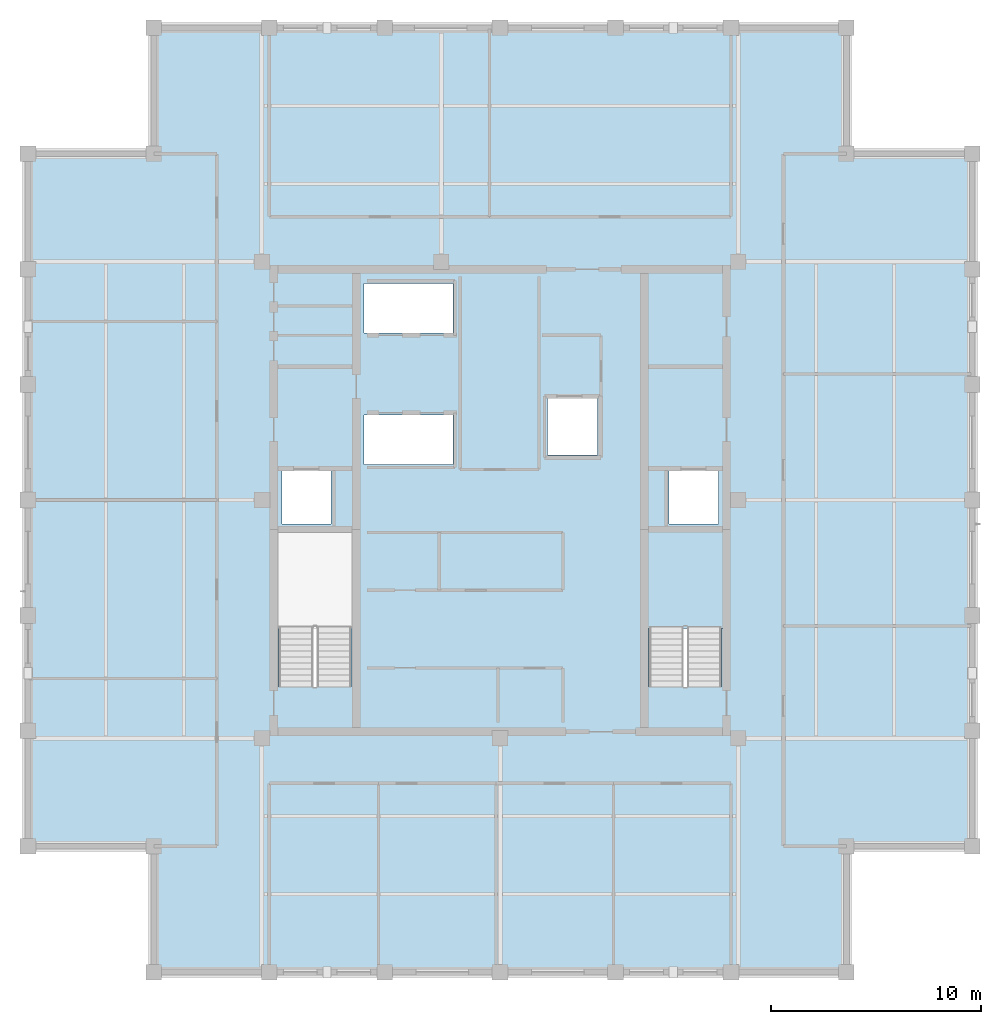
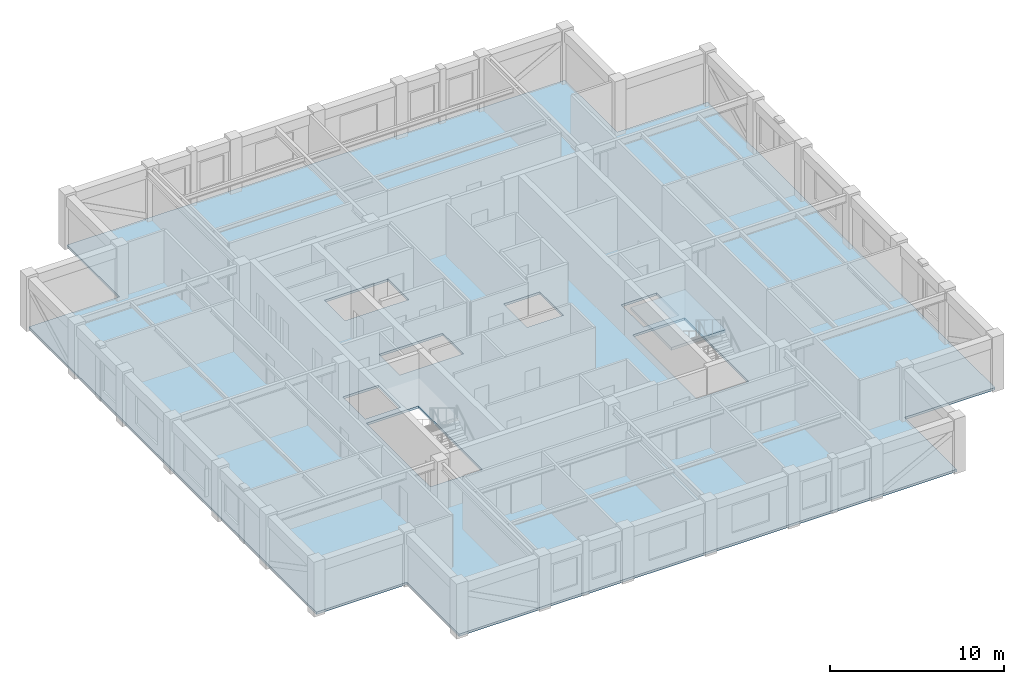
# One storey, part 3 of 9: 2 slabs, 1 element without a shape of its own.
"""IFC4 building model written with IfcOpenShell, lengths in metres."""

import ifcopenshell
import ifcopenshell.guid

model = None  # the IFC model being written
_history = None  # IfcOwnerHistory: only IFC2X3 demands one
_inside = {}  # id of a spatial element -> (the spatial element, [elements in it])
_under = {}  # id of a project, library or spatial element -> (it, [spatial elements below it])
_declared = {}  # id of a project -> (the project, [libraries it declares])
_typed = {}  # id of a type object -> (the type object, [elements of that type])
_made_of = {}  # id of a material, layer set ... -> (it, [elements and type objects made of it])


def new_model(schema):
    """Start an empty IFC model of exactly this schema.

    Asked for "IFC4X3", IfcOpenShell would pick the latest addendum, in which some entities
    have other attributes; the version numbers below select the first issue.
    IFC2X3 requires an IfcOwnerHistory on every rooted entity: one is made here for all.
    """
    global model, _history
    if schema == "IFC4X3":
        model = ifcopenshell.file(schema_version=(4, 3, 0, 0))
    else:
        model = ifcopenshell.file(schema=schema)
    _inside.clear()
    _under.clear()
    _declared.clear()
    _typed.clear()
    _made_of.clear()
    _history = None
    if model.schema == "IFC2X3":
        org = make("IfcOrganization", Name="unknown")
        user = make(
            "IfcPersonAndOrganization",
            ThePerson=make("IfcPerson", FamilyName="unknown"),
            TheOrganization=org,
        )
        app = make(
            "IfcApplication",
            ApplicationDeveloper=org,
            Version="unknown",
            ApplicationFullName="unknown",
            ApplicationIdentifier="unknown",
        )
        _history = make(
            "IfcOwnerHistory",
            OwningUser=user,
            OwningApplication=app,
            ChangeAction="ADDED",
            CreationDate=0,
        )
    return model


def make(cls, **values):
    """One entity of the class cls with the attributes given. An attribute that is None is left unset."""
    return model.create_entity(
        cls, **{name: value for name, value in values.items() if value is not None}
    )


def rooted(cls, **values):
    """An entity with a GlobalId (a new one), such as an element, a storey or a relation."""
    return make(cls, GlobalId=ifcopenshell.guid.new(), OwnerHistory=_history, **values)


def si_unit(unit_type, name, prefix=None):
    """IfcSIUnit, for example si_unit("LENGTHUNIT", "METRE", prefix="MILLI")."""
    return make("IfcSIUnit", UnitType=unit_type, Prefix=prefix, Name=name)


def assignment(units):
    """IfcUnitAssignment: the units of a project."""
    return None if units is None else make("IfcUnitAssignment", Units=units)


def point(xyz):
    """IfcCartesianPoint."""
    return None if xyz is None else make("IfcCartesianPoint", Coordinates=xyz)


def direction(xyz):
    """IfcDirection."""
    return None if xyz is None else make("IfcDirection", DirectionRatios=xyz)


def frame(location, z_axis=None, x_axis=None):
    """IfcAxis2Placement3D, a coordinate frame: its origin and axes. An axis left out is left unset."""
    return make(
        "IfcAxis2Placement3D",
        Location=point(location),
        Axis=direction(z_axis),
        RefDirection=direction(x_axis),
    )


def origin():
    """The frame at (0, 0, 0) with its axes left unset."""
    return frame((0.0, 0.0, 0.0))


def place(relative_to, where):
    """IfcLocalPlacement: puts the frame where relative to a parent placement (None: the world)."""
    return make(
        "IfcLocalPlacement", PlacementRelTo=relative_to, RelativePlacement=where
    )


def context(
    kind, dimensions, precision=None, world=None, true_north=None, identifier=None
):
    """IfcGeometricRepresentationContext, for example the 3D "Model" context."""
    return make(
        "IfcGeometricRepresentationContext",
        ContextIdentifier=identifier,
        ContextType=kind,
        CoordinateSpaceDimension=dimensions,
        Precision=precision,
        WorldCoordinateSystem=world,
        TrueNorth=true_north,
    )


def subcontext(parent, identifier, kind, view, scale=None):
    """IfcGeometricRepresentationSubContext, for example "Body" below "Model"."""
    return make(
        "IfcGeometricRepresentationSubContext",
        ContextIdentifier=identifier,
        ContextType=kind,
        ParentContext=parent,
        TargetScale=scale,
        TargetView=view,
    )


def project(units=None, contexts=None):
    """IfcProject with its units and contexts."""
    return rooted(
        "IfcProject",
        Name="project",
        RepresentationContexts=contexts,
        UnitsInContext=assignment(units),
    )


def spatial(cls, under=None, at=None, **own):
    """A site, building, storey or space (cls), placed at a placement, below another one or the project."""
    s = rooted(cls, ObjectPlacement=at, **own)
    if under is not None:
        _under.setdefault(under.id(), (under, []))[1].append(s)
    return s


def polyline(points):
    """IfcPolyline through the points."""
    return make("IfcPolyline", Points=[point(p) for p in points])


def outline(outer, holes=None, kind="AREA"):
    """IfcArbitraryClosedProfileDef: a profile drawn as a closed curve; with holes, ...WithVoids."""
    if holes is None:
        return make("IfcArbitraryClosedProfileDef", ProfileType=kind, OuterCurve=outer)
    return make(
        "IfcArbitraryProfileDefWithVoids",
        ProfileType=kind,
        OuterCurve=outer,
        InnerCurves=holes,
    )


def extrude(swept, where, along, depth):
    """IfcExtrudedAreaSolid: the profile swept, set in the frame where, extruded along a direction by depth."""
    return make(
        "IfcExtrudedAreaSolid",
        SweptArea=swept,
        Position=where,
        ExtrudedDirection=direction(along),
        Depth=depth,
    )


def shape(context_of_items, identifier, shape_type, items):
    """IfcShapeRepresentation: the items that make up one representation, for example the "Body"."""
    return make(
        "IfcShapeRepresentation",
        ContextOfItems=context_of_items,
        RepresentationIdentifier=identifier,
        RepresentationType=shape_type,
        Items=items,
    )


def material(Name=None, Category=None):
    """IfcMaterial."""
    return make("IfcMaterial", Name=Name, Category=Category)


def layer(
    of_material, thickness, ventilated=None, Name=None, Category=None, Priority=None
):
    """IfcMaterialLayer: one layer of a wall or slab, of a material (None: an air gap)."""
    return make(
        "IfcMaterialLayer",
        Material=of_material,
        LayerThickness=thickness,
        IsVentilated=ventilated,
        Name=Name,
        Category=Category,
        Priority=Priority,
    )


def layer_set(layers, Name=None):
    """IfcMaterialLayerSet."""
    return make("IfcMaterialLayerSet", MaterialLayers=layers, LayerSetName=Name)


def made_of(thing, what):
    """Note that an element or type object is made of a material, layer set ...; save() writes the relation."""
    if what is not None:
        _made_of.setdefault(what.id(), (what, []))[1].append(thing)
    return thing


def type_object(cls, material=None, **own):
    """A type object (cls), such as IfcWallType, which elements share."""
    return made_of(rooted(cls, **own), material)


def element(
    cls,
    number,
    at=None,
    inside=None,
    cuts=None,
    type_object=None,
    material=None,
    context=None,
    identifier="Body",
    shape_type=None,
    held_by="IfcProductDefinitionShape",
    body=None,
    shapes=None,
    **own,
):
    """One element of the class cls, such as IfcWall. Its Tag is "e" and its number.

    at: its placement. inside: the storey or other place that contains it. cuts: it is an
    opening in that element (IfcRelVoidsElement). A single representation is given by context,
    identifier, shape_type and body (its items); several are given by shapes. held_by: the class
    of the entity that holds the representations. save() writes the other relations.
    """
    e = rooted(cls, Tag="e%d" % number, ObjectPlacement=at, **own)
    if body is not None:
        shapes = [shape(context, identifier, shape_type, body)]
    if shapes is not None:
        e.Representation = make(held_by, Representations=shapes)
    if inside is not None:
        _inside.setdefault(inside.id(), (inside, []))[1].append(e)
    if cuts is not None:
        rooted(
            "IfcRelVoidsElement", RelatingBuildingElement=cuts, RelatedOpeningElement=e
        )
    if type_object is not None:
        _typed.setdefault(type_object.id(), (type_object, []))[1].append(e)
    return made_of(e, material)


def aggregate(whole, parts):
    """IfcRelAggregates: a whole, such as a stair, and the parts it consists of."""
    return rooted("IfcRelAggregates", RelatingObject=whole, RelatedObjects=parts)


def save(model, path):
    """Write the relations noted so far, then the file.

    IfcRelAggregates (storeys below a building ...), IfcRelContainedInSpatialStructure (elements
    in a storey), IfcRelDefinesByType, IfcRelAssociatesMaterial and IfcRelDeclares: one each for
    every whole, place, type object, material and project.
    """
    for whole, parts in _under.values():
        aggregate(whole, parts)
    for where, things in _inside.values():
        rooted(
            "IfcRelContainedInSpatialStructure",
            RelatedElements=things,
            RelatingStructure=where,
        )
    for kind, things in _typed.values():
        rooted("IfcRelDefinesByType", RelatedObjects=things, RelatingType=kind)
    for what, things in _made_of.values():
        rooted("IfcRelAssociatesMaterial", RelatedObjects=things, RelatingMaterial=what)
    for by, libraries in _declared.values():
        rooted("IfcRelDeclares", RelatingContext=by, RelatedDefinitions=libraries)
    model.write(path)


model = new_model("IFC4")

# Units and contexts
model_context = context("Model", 3, precision=1e-05, world=origin(), true_north=direction((0.0, 1.0)))
body_context = subcontext(model_context, "Body", "Model", "MODEL_VIEW")
ifc_project = project(units=[si_unit("LENGTHUNIT", "METRE"), si_unit("AREAUNIT", "SQUARE_METRE"), si_unit("VOLUMEUNIT", "CUBIC_METRE"), si_unit("PLANEANGLEUNIT", "RADIAN"), si_unit("MASSUNIT", "GRAM", prefix="KILO")], contexts=[model_context])

# Site, building, storey
site_placement = place(None, origin())
site = spatial("IfcSite", under=ifc_project, at=site_placement, CompositionType="ELEMENT")
building_placement = place(site_placement, origin())
building = spatial("IfcBuilding", under=site, at=building_placement, Name="Nhamokura Convention Tower", CompositionType="ELEMENT")
storey_placement = place(building_placement, frame((0.0, 0.0, 269.85009765625)))
storey = spatial("IfcBuildingStorey", under=building, at=storey_placement, Name="L66", CompositionType="ELEMENT", Elevation=269.85009765625)

# Slab
ifc_material_1 = material(Name="Concrete C40/50", Category="concrete")
ifc_layer_1 = layer(ifc_material_1, 0.1650390625)
ifc_layer_set_1 = layer_set([ifc_layer_1], Name="OfficeFloorSlab_165")
slab_type_1 = type_object("IfcSlabType", Name="OfficeFloorSlab_165", PredefinedType="FLOOR", material=ifc_layer_set_1)
slab_1_placement = place(storey_placement, frame((0.0, 0.0, -0.1650390625)))
element("IfcSlab", 1, at=slab_1_placement, inside=storey, type_object=slab_type_1, Name="L66 Structural Floor Slab", PredefinedType="FLOOR", context=body_context, shape_type="SweptSolid", body=[
    extrude(outline(polyline([(15.5, 9.5), (48.5, 9.5), (48.5, 15.5), (54.5, 15.5), (54.5, 48.5), (48.5, 48.5), (48.5, 54.5), (15.5, 54.5), (15.5, 48.5), (9.5, 48.5), (9.5, 15.5), (15.5, 15.5), (15.5, 9.5)]), holes=[polyline([(24.89990234375, 23.10009765625), (24.89990234375, 30.449951171875), (21.449951171875, 30.449951171875), (21.449951171875, 23.10009765625), (24.89990234375, 23.10009765625)]), polyline([(42.550048828125, 23.10009765625), (42.550048828125, 30.449951171875), (39.10009765625, 30.449951171875), (39.10009765625, 23.10009765625), (42.550048828125, 23.10009765625)]), polyline([(21.60009765625, 30.85009765625), (23.949951171875, 30.85009765625), (23.949951171875, 33.39990234375), (21.60009765625, 33.39990234375), (21.60009765625, 30.85009765625)]), polyline([(40.050048828125, 30.85009765625), (42.39990234375, 30.85009765625), (42.39990234375, 33.39990234375), (40.050048828125, 33.39990234375), (40.050048828125, 30.85009765625)]), polyline([(34.25, 34.14990234375), (36.64990234375, 34.14990234375), (36.64990234375, 36.85009765625), (34.25, 36.85009765625), (34.25, 34.14990234375)]), polyline([(25.52001953125, 33.679931640625), (29.75, 33.679931640625), (29.75, 36.050048828125), (25.52001953125, 36.050048828125), (25.52001953125, 33.679931640625)]), polyline([(25.52001953125, 39.949951171875), (29.75, 39.949951171875), (29.75, 42.320068359375), (25.52001953125, 42.320068359375), (25.52001953125, 39.949951171875)])]), origin(), (0.0, 0.0, 1.0), 0.1650390625),
])

# Stair, slab
ifc_material_2 = material(Name="Concrete C40/50", Category="concrete")
stair_type = type_object("IfcStairType", Name="TowerCoreStair_1650", PredefinedType="HALF_TURN_STAIR", material=ifc_material_2)
stair_placement = place(storey_placement, origin())
stair = element("IfcStair", 2, at=stair_placement, inside=storey, type_object=stair_type, Name="L66 East Core Smokeproof Stair ST-02", PredefinedType="HALF_TURN_STAIR")
ifc_material_3 = material(Name="Concrete C40/50", Category="concrete")
ifc_layer_2 = layer(ifc_material_3, 0.199951171875)
ifc_layer_set_2 = layer_set([ifc_layer_2], Name="StairLandingSlab_200")
slab_type_2 = type_object("IfcSlabType", Name="StairLandingSlab_200", PredefinedType="LANDING", material=ifc_layer_set_2)
slab_2_placement = place(storey_placement, frame((0.0, 0.0, 1.724853515625)))
slab_2 = element("IfcSlab", 3, at=slab_2_placement, type_object=slab_type_2, Name="ST-02 landing 1", PredefinedType="LANDING", context=body_context, shape_type="SweptSolid", body=[
    extrude(outline(polyline([(42.6298828125, 25.8701171875), (42.6298828125, 30.530029296875), (39.02001953125, 30.530029296875), (39.02001953125, 25.8701171875), (42.6298828125, 25.8701171875)])), origin(), (0.0, 0.0, 1.0), 0.199951171875),
])
aggregate(stair, [slab_2])

save(model, "model.ifc")
